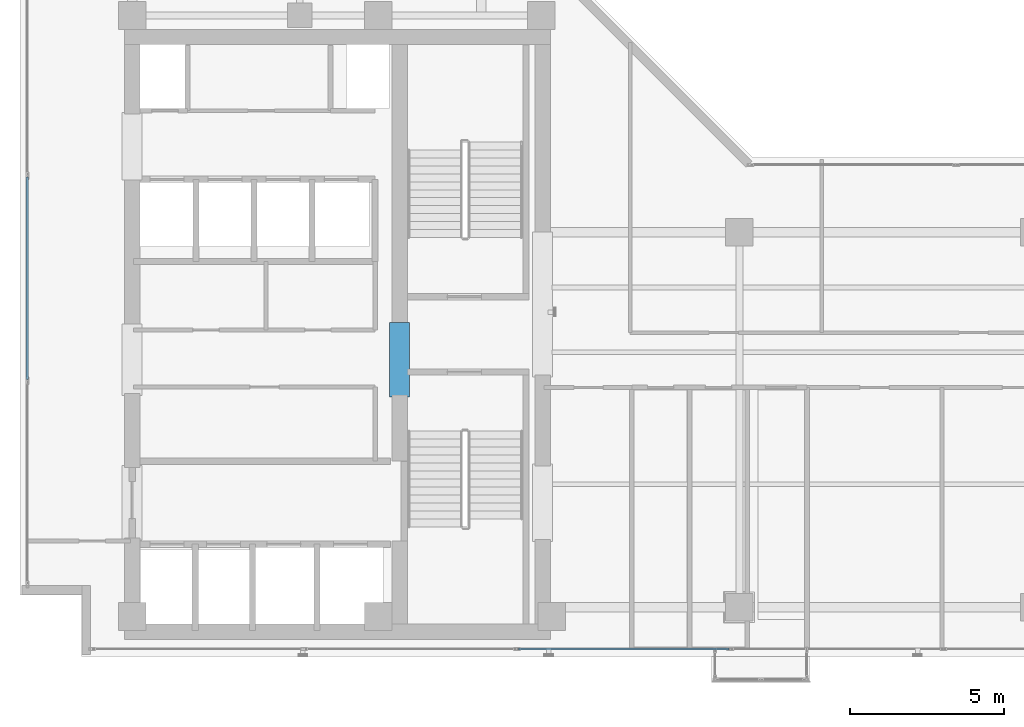
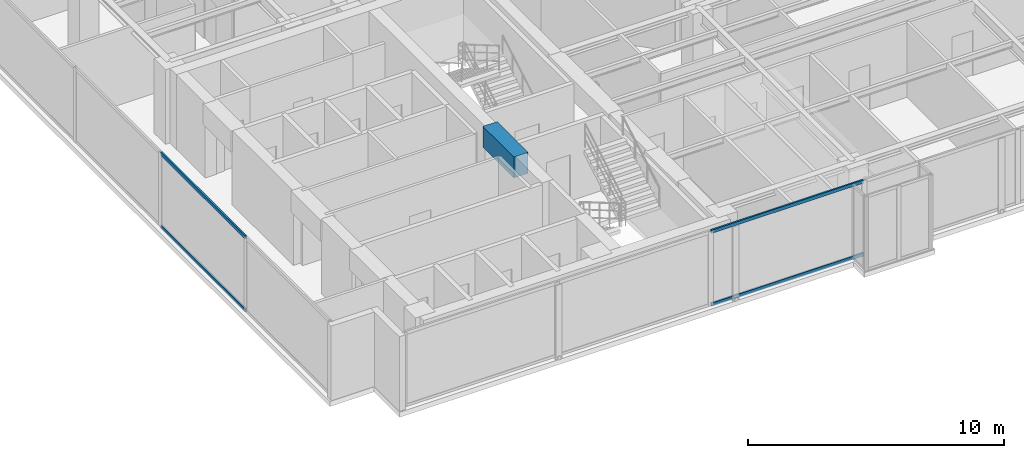
# One storey, part 3 of 22: 4 members, 1 beam, 2 elements without a shape of their own.
"""IFC4 building model written with IfcOpenShell, lengths in metres."""

from ifc_helpers import new_model, si_unit, direction, frame, origin, origin_with_axes, origin_2d, place, context, subcontext, project, spatial, rectangle, hollow_rectangle, extrude, source, transform, mapped, material, layer, layer_set, material_profile, profile_set, type_object, element, aggregate, save


model = new_model("IFC4")

# Units and contexts
model_context = context("Model", 3, precision=1e-05, world=origin(), true_north=direction((0.0, 1.0)))
body_context = subcontext(model_context, "Body", "Model", "MODEL_VIEW")
ifc_project = project(units=[si_unit("LENGTHUNIT", "METRE"), si_unit("AREAUNIT", "SQUARE_METRE"), si_unit("VOLUMEUNIT", "CUBIC_METRE"), si_unit("PLANEANGLEUNIT", "RADIAN"), si_unit("MASSUNIT", "GRAM", prefix="KILO")], contexts=[model_context])

# Site, building, storey
site_placement = place(None, origin())
site = spatial("IfcSite", under=ifc_project, at=site_placement, CompositionType="ELEMENT")
building_placement = place(site_placement, origin())
building = spatial("IfcBuilding", under=site, at=building_placement, Name="Kolvaren Waterfront Exchange", CompositionType="ELEMENT")
storey_placement = place(building_placement, frame((0.0, 0.0, 323.60009765625)))
storey = spatial("IfcBuildingStorey", under=building, at=storey_placement, Name="L83", CompositionType="ELEMENT", Elevation=323.60009765625)

# Beam
ifc_material_1 = material(Name="Concrete C60/75", Category="concrete")
ifc_material_profile_1 = material_profile(ifc_material_1, rectangle(XDim=0.64990234375, YDim=1.0, at=origin_2d()), Name="RC-CB-1000x650")
ifc_profile_set_1 = profile_set([ifc_material_profile_1], Name="Concrete C60/75")
beam_type = type_object("IfcBeamType", Name="STR-CB-1000", PredefinedType="SPANDREL", material=ifc_profile_set_1)
beam_placement = place(storey_placement, frame((16.14990234375, 12.0400390625, 3.059814453125), z_axis=(0.0, 1.0, 0.0), x_axis=(-1.0, 0.0, 0.0)))
element("IfcBeam", 1, at=beam_placement, inside=storey, type_object=beam_type, Name="L83 core coupling beam 6", PredefinedType="SPANDREL", context=body_context, shape_type="SweptSolid", body=[
    extrude(rectangle(XDim=0.64990234375, YDim=1.0, at=origin_2d()), origin(), (0.0, 0.0, 1.0), 2.419921875),
])

# Curtain wall, members
ifc_material_2 = material(Name="Anodised bronze aluminium 6063-T6", Category="aluminium")
ifc_layer_1 = layer(ifc_material_2, 0.219970703125, Name="Anodised bronze aluminium 6063-T6")
ifc_layer_set_1 = layer_set([ifc_layer_1], Name="Anodised bronze aluminium 6063-T6")
curtain_wall_type_1 = type_object("IfcCurtainWallType", Name="ARC-CW-SYS1", PredefinedType="USERDEFINED", material=ifc_layer_set_1)
curtain_wall_1_placement = place(storey_placement, origin())
curtain_wall_1 = element("IfcCurtainWall", 2, at=curtain_wall_1_placement, inside=storey, type_object=curtain_wall_type_1, Name="L83 stick curtain wall CW1 (CW-L83-S)", ObjectType="STICK CURTAIN WALL", PredefinedType="USERDEFINED")
ifc_material_3 = material(Name="Anodised aluminium 6063-T6", Category="aluminium")
ifc_material_profile_2 = material_profile(ifc_material_3, hollow_rectangle(XDim=0.074951171875, YDim=0.159912109375, WallThickness=0.00439453125, at=origin_2d()), Name="ALU-TRN-160x75x4.5")
ifc_profile_set_2 = profile_set([ifc_material_profile_2], Name="Anodised aluminium 6063-T6")
member_type = type_object("IfcMemberType", Name="ARC-CWT-160", PredefinedType="USERDEFINED", material=ifc_profile_set_2)
shared_shape_1 = source(origin_with_axes(), body_context, "Body", "SweptSolid", [
    extrude(hollow_rectangle(XDim=0.074951171875, YDim=0.159912109375, WallThickness=0.00439453125, at=origin_2d()), origin(), (0.0, 0.0, 1.0), 6.85498046875),
])
member_1_placement = place(storey_placement, frame((20.01025390625, 3.840087890625, 0.037353515625), z_axis=(1.0, 0.0, 0.0), x_axis=(0.0, 1.0, 0.0)))
member_1 = element("IfcMember", 3, at=member_1_placement, type_object=member_type, Name="CW1 transom 3.1", ObjectType="TRANSOM", PredefinedType="USERDEFINED", context=body_context, shape_type="MappedRepresentation", body=[
    mapped(shared_shape_1, transform((0.0, 0.0, 0.0), x_axis=(1.0, 0.0, 0.0), y_axis=(0.0, 1.0, 0.0), z_axis=(0.0, 0.0, 1.0), scale=1.0)),
])
member_2_placement = place(storey_placement, frame((20.01025390625, 3.840087890625, 3.5224609375), z_axis=(1.0, 0.0, 0.0), x_axis=(0.0, 1.0, 0.0)))
member_2 = element("IfcMember", 4, at=member_2_placement, type_object=member_type, Name="CW1 transom 3.2", ObjectType="TRANSOM", PredefinedType="USERDEFINED", context=body_context, shape_type="MappedRepresentation", body=[
    mapped(shared_shape_1, transform((0.0, 0.0, 0.0), x_axis=(1.0, 0.0, 0.0), y_axis=(0.0, 1.0, 0.0), z_axis=(0.0, 0.0, 1.0), scale=1.0)),
])
aggregate(curtain_wall_1, [member_1, member_2])

ifc_layer_2 = layer(ifc_material_3, 0.219970703125, Name="Anodised aluminium 6063-T6")
ifc_layer_set_2 = layer_set([ifc_layer_2], Name="Anodised aluminium 6063-T6")
curtain_wall_type_2 = type_object("IfcCurtainWallType", Name="ARC-CW-SYS2", PredefinedType="USERDEFINED", material=ifc_layer_set_2)
curtain_wall_2_placement = place(storey_placement, origin())
curtain_wall_2 = element("IfcCurtainWall", 5, at=curtain_wall_2_placement, inside=storey, type_object=curtain_wall_type_2, Name="L83 stick curtain wall CW2 (CW-L83-W)", ObjectType="STICK CURTAIN WALL", PredefinedType="USERDEFINED")
shared_shape_2 = source(origin_with_axes(), body_context, "Body", "SweptSolid", [
    extrude(hollow_rectangle(XDim=0.074951171875, YDim=0.159912109375, WallThickness=0.00439453125, at=origin_2d()), origin(), (0.0, 0.0, 1.0), 6.58837890625),
])
member_3_placement = place(storey_placement, frame((4.0400390625, 12.6083984375, 0.037353515625), z_axis=(0.0, 1.0, 0.0), x_axis=(-1.0, 0.0, 0.0)))
member_3 = element("IfcMember", 6, at=member_3_placement, type_object=member_type, Name="CW2 transom 2.1", ObjectType="TRANSOM", PredefinedType="USERDEFINED", context=body_context, shape_type="MappedRepresentation", body=[
    mapped(shared_shape_2, transform((0.0, 0.0, 0.0), x_axis=(1.0, 0.0, 0.0), y_axis=(0.0, 1.0, 0.0), z_axis=(0.0, 0.0, 1.0), scale=1.0)),
])
member_4_placement = place(storey_placement, frame((4.0400390625, 12.6083984375, 3.5224609375), z_axis=(0.0, 1.0, 0.0), x_axis=(-1.0, 0.0, 0.0)))
member_4 = element("IfcMember", 7, at=member_4_placement, type_object=member_type, Name="CW2 transom 2.2", ObjectType="TRANSOM", PredefinedType="USERDEFINED", context=body_context, shape_type="MappedRepresentation", body=[
    mapped(shared_shape_2, transform((0.0, 0.0, 0.0), x_axis=(1.0, 0.0, 0.0), y_axis=(0.0, 1.0, 0.0), z_axis=(0.0, 0.0, 1.0), scale=1.0)),
])
aggregate(curtain_wall_2, [member_3, member_4])

save(model, "model.ifc")
